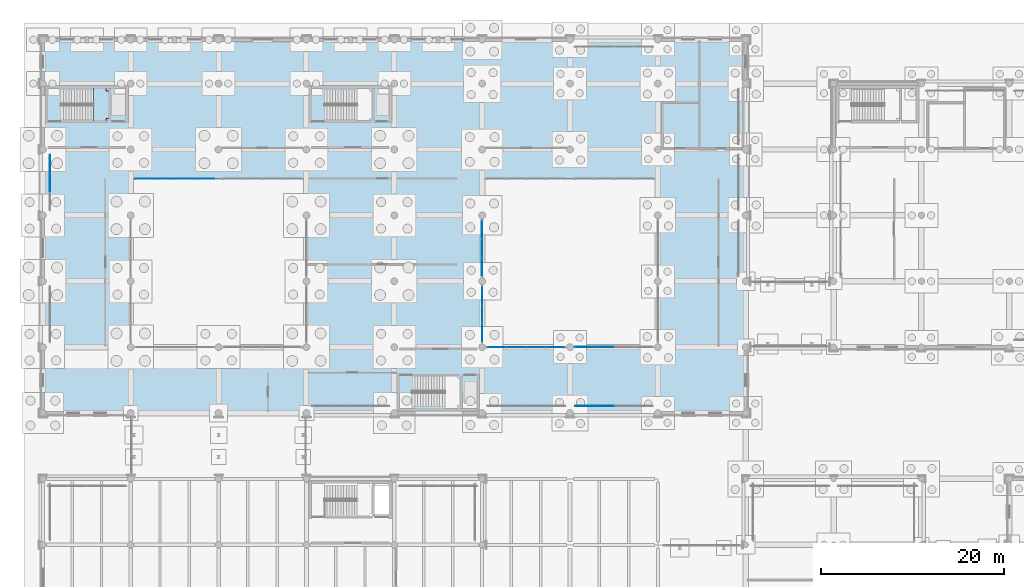
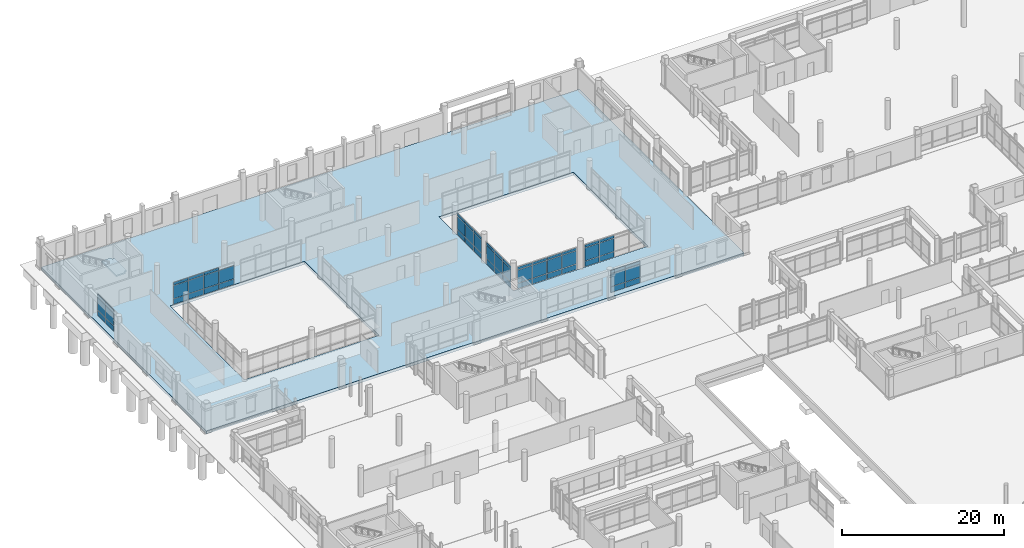
# One storey, part 150 of 196: 59 plates, 2 slabs, 8 elements without a shape of their own.
"""IFC4 building model written with IfcOpenShell, lengths in metres."""

from ifc_helpers import new_model, si_unit, direction, frame, origin, origin_2d, place, context, subcontext, project, spatial, polyline, rectangle, outline, extrude, material, layer, layer_set, type_object, element, aggregate, save


model = new_model("IFC4")

# Units and contexts
model_context = context("Model", 3, precision=1e-05, world=origin(), true_north=direction((0.0, 1.0)))
body_context = subcontext(model_context, "Body", "Model", "MODEL_VIEW")
ifc_project = project(units=[si_unit("LENGTHUNIT", "METRE"), si_unit("AREAUNIT", "SQUARE_METRE"), si_unit("VOLUMEUNIT", "CUBIC_METRE"), si_unit("PLANEANGLEUNIT", "RADIAN"), si_unit("MASSUNIT", "GRAM", prefix="KILO")], contexts=[model_context])

# Site, building, storey
site_placement = place(None, origin())
site = spatial("IfcSite", under=ifc_project, at=site_placement, CompositionType="ELEMENT")
building_placement = place(site_placement, origin())
building = spatial("IfcBuilding", under=site, at=building_placement, Name="Asteropetra Specialist Clinic", CompositionType="ELEMENT")
storey_placement = place(building_placement, origin())
storey = spatial("IfcBuildingStorey", under=building, at=storey_placement, Name="L00", CompositionType="ELEMENT", Elevation=0.0)

# Curtain wall, plates
ifc_material_1 = material(Name="Aluminium and low-E glass", Category="aluminium")
ifc_layer_1 = layer(ifc_material_1, 0.135009765625)
ifc_layer_set_1 = layer_set([ifc_layer_1], Name="Aluminium and low-E glass")
curtain_wall_type_1 = type_object("IfcCurtainWallType", Name="CW-SYS-03", PredefinedType="USERDEFINED", material=ifc_layer_set_1)
curtain_wall_1_placement = place(storey_placement, origin())
curtain_wall_1 = element("IfcCurtainWall", 1, at=curtain_wall_1_placement, inside=storey, type_object=curtain_wall_type_1, Name="Curtain Wall CW-009", ObjectType="UNITISED CURTAIN WALL", PredefinedType="USERDEFINED")
ifc_material_2 = material(Name="Low-E acoustic double glazing", Category="glass")
ifc_layer_2 = layer(ifc_material_2, 0.031982421875)
ifc_layer_set_2 = layer_set([ifc_layer_2], Name="Low-E acoustic double glazing")
plate_type_1 = type_object("IfcPlateType", Name="CWP-GLZ-32", PredefinedType="CURTAIN_PANEL", material=ifc_layer_set_2)
plate_1_placement = place(storey_placement, frame((49.6201171875, 76.800048828125, 0.074951171875), z_axis=(0.0, 0.0, 1.0), x_axis=(1.0, 0.0, 0.0)))
plate_1 = element("IfcPlate", 2, at=plate_1_placement, type_object=plate_type_1, Name="CW-009 panel 1.1", PredefinedType="CURTAIN_PANEL", context=body_context, shape_type="SweptSolid", body=[
    extrude(rectangle(XDim=2.02001953125, YDim=0.031982421875, at=origin_2d()), origin(), (0.0, 0.0, 1.0), 0.78759765625),
])
plate_2_placement = place(storey_placement, frame((49.6201171875, 76.800048828125, 0.9375), z_axis=(0.0, 0.0, 1.0), x_axis=(1.0, 0.0, 0.0)))
plate_2 = element("IfcPlate", 3, at=plate_2_placement, type_object=plate_type_1, Name="CW-009 panel 1.2", PredefinedType="CURTAIN_PANEL", context=body_context, shape_type="SweptSolid", body=[
    extrude(rectangle(XDim=2.02001953125, YDim=0.031982421875, at=origin_2d()), origin(), (0.0, 0.0, 1.0), 1.945068359375),
])
plate_3_placement = place(storey_placement, frame((49.6201171875, 76.800048828125, 2.95751953125), z_axis=(0.0, 0.0, 1.0), x_axis=(1.0, 0.0, 0.0)))
plate_3 = element("IfcPlate", 4, at=plate_3_placement, type_object=plate_type_1, Name="CW-009 panel 1.3", PredefinedType="CURTAIN_PANEL", context=body_context, shape_type="SweptSolid", body=[
    extrude(rectangle(XDim=2.02001953125, YDim=0.031982421875, at=origin_2d()), origin(), (0.0, 0.0, 1.0), 0.387451171875),
])
plate_4_placement = place(storey_placement, frame((51.733642578125, 76.800048828125, 0.074951171875), z_axis=(0.0, 0.0, 1.0), x_axis=(1.0, 0.0, 0.0)))
plate_4 = element("IfcPlate", 5, at=plate_4_placement, type_object=plate_type_1, Name="CW-009 panel 2.1", PredefinedType="CURTAIN_PANEL", context=body_context, shape_type="SweptSolid", body=[
    extrude(rectangle(XDim=2.0576171875, YDim=0.031982421875, at=origin_2d()), origin(), (0.0, 0.0, 1.0), 0.78759765625),
])
plate_5_placement = place(storey_placement, frame((51.733642578125, 76.800048828125, 0.9375), z_axis=(0.0, 0.0, 1.0), x_axis=(1.0, 0.0, 0.0)))
plate_5 = element("IfcPlate", 6, at=plate_5_placement, type_object=plate_type_1, Name="CW-009 panel 2.2", PredefinedType="CURTAIN_PANEL", context=body_context, shape_type="SweptSolid", body=[
    extrude(rectangle(XDim=2.0576171875, YDim=0.031982421875, at=origin_2d()), origin(), (0.0, 0.0, 1.0), 1.945068359375),
])
plate_6_placement = place(storey_placement, frame((51.733642578125, 76.800048828125, 2.95751953125), z_axis=(0.0, 0.0, 1.0), x_axis=(1.0, 0.0, 0.0)))
plate_6 = element("IfcPlate", 7, at=plate_6_placement, type_object=plate_type_1, Name="CW-009 panel 2.3", PredefinedType="CURTAIN_PANEL", context=body_context, shape_type="SweptSolid", body=[
    extrude(rectangle(XDim=2.0576171875, YDim=0.031982421875, at=origin_2d()), origin(), (0.0, 0.0, 1.0), 0.387451171875),
])
plate_7_placement = place(storey_placement, frame((53.8662109375, 76.800048828125, 0.074951171875), z_axis=(0.0, 0.0, 1.0), x_axis=(1.0, 0.0, 0.0)))
plate_7 = element("IfcPlate", 8, at=plate_7_placement, type_object=plate_type_1, Name="CW-009 panel 3.1", PredefinedType="CURTAIN_PANEL", context=body_context, shape_type="SweptSolid", body=[
    extrude(rectangle(XDim=2.0576171875, YDim=0.031982421875, at=origin_2d()), origin(), (0.0, 0.0, 1.0), 0.78759765625),
])
plate_8_placement = place(storey_placement, frame((53.8662109375, 76.800048828125, 0.9375), z_axis=(0.0, 0.0, 1.0), x_axis=(1.0, 0.0, 0.0)))
plate_8 = element("IfcPlate", 9, at=plate_8_placement, type_object=plate_type_1, Name="CW-009 panel 3.2", PredefinedType="CURTAIN_PANEL", context=body_context, shape_type="SweptSolid", body=[
    extrude(rectangle(XDim=2.0576171875, YDim=0.031982421875, at=origin_2d()), origin(), (0.0, 0.0, 1.0), 1.945068359375),
])
plate_9_placement = place(storey_placement, frame((53.8662109375, 76.800048828125, 2.95751953125), z_axis=(0.0, 0.0, 1.0), x_axis=(1.0, 0.0, 0.0)))
plate_9 = element("IfcPlate", 10, at=plate_9_placement, type_object=plate_type_1, Name="CW-009 panel 3.3", PredefinedType="CURTAIN_PANEL", context=body_context, shape_type="SweptSolid", body=[
    extrude(rectangle(XDim=2.0576171875, YDim=0.031982421875, at=origin_2d()), origin(), (0.0, 0.0, 1.0), 0.387451171875),
])
plate_10_placement = place(storey_placement, frame((55.97998046875, 76.800048828125, 0.074951171875), z_axis=(0.0, 0.0, 1.0), x_axis=(1.0, 0.0, 0.0)))
plate_10 = element("IfcPlate", 11, at=plate_10_placement, type_object=plate_type_1, Name="CW-009 panel 4.1", PredefinedType="CURTAIN_PANEL", context=body_context, shape_type="SweptSolid", body=[
    extrude(rectangle(XDim=2.02001953125, YDim=0.031982421875, at=origin_2d()), origin(), (0.0, 0.0, 1.0), 0.78759765625),
])
plate_11_placement = place(storey_placement, frame((55.97998046875, 76.800048828125, 0.9375), z_axis=(0.0, 0.0, 1.0), x_axis=(1.0, 0.0, 0.0)))
plate_11 = element("IfcPlate", 12, at=plate_11_placement, type_object=plate_type_1, Name="CW-009 panel 4.2", PredefinedType="CURTAIN_PANEL", context=body_context, shape_type="SweptSolid", body=[
    extrude(rectangle(XDim=2.02001953125, YDim=0.031982421875, at=origin_2d()), origin(), (0.0, 0.0, 1.0), 1.945068359375),
])
plate_12_placement = place(storey_placement, frame((55.97998046875, 76.800048828125, 2.95751953125), z_axis=(0.0, 0.0, 1.0), x_axis=(1.0, 0.0, 0.0)))
plate_12 = element("IfcPlate", 13, at=plate_12_placement, type_object=plate_type_1, Name="CW-009 panel 4.3", PredefinedType="CURTAIN_PANEL", context=body_context, shape_type="SweptSolid", body=[
    extrude(rectangle(XDim=2.02001953125, YDim=0.031982421875, at=origin_2d()), origin(), (0.0, 0.0, 1.0), 0.387451171875),
])
aggregate(curtain_wall_1, [plate_1, plate_2, plate_3, plate_4, plate_5, plate_6, plate_7, plate_8, plate_9, plate_10, plate_11, plate_12])

ifc_material_3 = material(Name="Aluminium and low-E glass", Category="aluminium")
ifc_layer_3 = layer(ifc_material_3, 0.14990234375)
ifc_layer_set_3 = layer_set([ifc_layer_3], Name="Aluminium and low-E glass")
curtain_wall_type_2 = type_object("IfcCurtainWallType", Name="CW-SYS-05", PredefinedType="USERDEFINED", material=ifc_layer_set_3)
curtain_wall_2_placement = place(storey_placement, origin())
curtain_wall_2 = element("IfcCurtainWall", 14, at=curtain_wall_2_placement, inside=storey, type_object=curtain_wall_type_2, Name="Curtain Wall CW-013", ObjectType="UNITISED CURTAIN WALL", PredefinedType="USERDEFINED")
plate_13_placement = place(storey_placement, frame((48.0, 82.427001953125, 0.06494140625), z_axis=(0.0, 0.0, 1.0), x_axis=(0.0, -1.0, 0.0)))
plate_13 = element("IfcPlate", 15, at=plate_13_placement, type_object=plate_type_1, Name="CW-013 panel 1.1", PredefinedType="CURTAIN_PANEL", context=body_context, shape_type="SweptSolid", body=[
    extrude(rectangle(XDim=1.94580078125, YDim=0.031982421875, at=origin_2d()), origin(), (0.0, 0.0, 1.0), 0.802490234375),
])
plate_14_placement = place(storey_placement, frame((48.0, 82.427001953125, 0.932373046875), z_axis=(0.0, 0.0, 1.0), x_axis=(0.0, -1.0, 0.0)))
plate_14 = element("IfcPlate", 16, at=plate_14_placement, type_object=plate_type_1, Name="CW-013 panel 1.2", PredefinedType="CURTAIN_PANEL", context=body_context, shape_type="SweptSolid", body=[
    extrude(rectangle(XDim=1.94580078125, YDim=0.031982421875, at=origin_2d()), origin(), (0.0, 0.0, 1.0), 1.955078125),
])
plate_15_placement = place(storey_placement, frame((48.0, 82.427001953125, 2.95263671875), z_axis=(0.0, 0.0, 1.0), x_axis=(0.0, -1.0, 0.0)))
plate_15 = element("IfcPlate", 17, at=plate_15_placement, type_object=plate_type_1, Name="CW-013 panel 1.3", PredefinedType="CURTAIN_PANEL", context=body_context, shape_type="SweptSolid", body=[
    extrude(rectangle(XDim=1.94580078125, YDim=0.031982421875, at=origin_2d()), origin(), (0.0, 0.0, 1.0), 0.402587890625),
])
plate_16_placement = place(storey_placement, frame((48.0, 80.39990234375, 0.06494140625), z_axis=(0.0, 0.0, 1.0), x_axis=(0.0, -1.0, 0.0)))
plate_16 = element("IfcPlate", 18, at=plate_16_placement, type_object=plate_type_1, Name="CW-013 panel 2.1", PredefinedType="CURTAIN_PANEL", context=body_context, shape_type="SweptSolid", body=[
    extrude(rectangle(XDim=1.978271484375, YDim=0.031982421875, at=origin_2d()), origin(), (0.0, 0.0, 1.0), 0.802490234375),
])
plate_17_placement = place(storey_placement, frame((48.0, 80.39990234375, 0.932373046875), z_axis=(0.0, 0.0, 1.0), x_axis=(0.0, -1.0, 0.0)))
plate_17 = element("IfcPlate", 19, at=plate_17_placement, type_object=plate_type_1, Name="CW-013 panel 2.2", PredefinedType="CURTAIN_PANEL", context=body_context, shape_type="SweptSolid", body=[
    extrude(rectangle(XDim=1.978271484375, YDim=0.031982421875, at=origin_2d()), origin(), (0.0, 0.0, 1.0), 1.955078125),
])
plate_18_placement = place(storey_placement, frame((48.0, 80.39990234375, 2.95263671875), z_axis=(0.0, 0.0, 1.0), x_axis=(0.0, -1.0, 0.0)))
plate_18 = element("IfcPlate", 20, at=plate_18_placement, type_object=plate_type_1, Name="CW-013 panel 2.3", PredefinedType="CURTAIN_PANEL", context=body_context, shape_type="SweptSolid", body=[
    extrude(rectangle(XDim=1.978271484375, YDim=0.031982421875, at=origin_2d()), origin(), (0.0, 0.0, 1.0), 0.402587890625),
])
plate_19_placement = place(storey_placement, frame((48.0, 78.372802734375, 0.06494140625), z_axis=(0.0, 0.0, 1.0), x_axis=(0.0, -1.0, 0.0)))
plate_19 = element("IfcPlate", 21, at=plate_19_placement, type_object=plate_type_1, Name="CW-013 panel 3.1", PredefinedType="CURTAIN_PANEL", context=body_context, shape_type="SweptSolid", body=[
    extrude(rectangle(XDim=1.94580078125, YDim=0.031982421875, at=origin_2d()), origin(), (0.0, 0.0, 1.0), 0.802490234375),
])
plate_20_placement = place(storey_placement, frame((48.0, 78.372802734375, 0.932373046875), z_axis=(0.0, 0.0, 1.0), x_axis=(0.0, -1.0, 0.0)))
plate_20 = element("IfcPlate", 22, at=plate_20_placement, type_object=plate_type_1, Name="CW-013 panel 3.2", PredefinedType="CURTAIN_PANEL", context=body_context, shape_type="SweptSolid", body=[
    extrude(rectangle(XDim=1.94580078125, YDim=0.031982421875, at=origin_2d()), origin(), (0.0, 0.0, 1.0), 1.955078125),
])
plate_21_placement = place(storey_placement, frame((48.0, 78.372802734375, 2.95263671875), z_axis=(0.0, 0.0, 1.0), x_axis=(0.0, -1.0, 0.0)))
plate_21 = element("IfcPlate", 23, at=plate_21_placement, type_object=plate_type_1, Name="CW-013 panel 3.3", PredefinedType="CURTAIN_PANEL", context=body_context, shape_type="SweptSolid", body=[
    extrude(rectangle(XDim=1.94580078125, YDim=0.031982421875, at=origin_2d()), origin(), (0.0, 0.0, 1.0), 0.402587890625),
])
aggregate(curtain_wall_2, [plate_13, plate_14, plate_15, plate_16, plate_17, plate_18, plate_19, plate_20, plate_21])

ifc_material_4 = material(Name="Aluminium and low-E glass", Category="aluminium")
ifc_layer_4 = layer(ifc_material_4, 0.179931640625)
ifc_layer_set_4 = layer_set([ifc_layer_4], Name="Aluminium and low-E glass")
curtain_wall_type_3 = type_object("IfcCurtainWallType", Name="CW-SYS-10", PredefinedType="USERDEFINED", material=ifc_layer_set_4)
curtain_wall_3_placement = place(storey_placement, origin())
curtain_wall_3 = element("IfcCurtainWall", 24, at=curtain_wall_3_placement, inside=storey, type_object=curtain_wall_type_3, Name="Curtain Wall CW-185", ObjectType="STICK GLAZED COLONNADE", PredefinedType="USERDEFINED")
plate_22_placement = place(storey_placement, frame((59.21630859375, 70.3798828125, 0.06005859375), z_axis=(0.0, 0.0, 1.0), x_axis=(1.0, 0.0, 0.0)))
plate_22 = element("IfcPlate", 25, at=plate_22_placement, type_object=plate_type_1, Name="CW-185 panel 1.1", PredefinedType="CURTAIN_PANEL", context=body_context, shape_type="SweptSolid", body=[
    extrude(rectangle(XDim=2.04248046875, YDim=0.031982421875, at=origin_2d()), origin(), (0.0, 0.0, 1.0), 0.81005859375),
])
plate_23_placement = place(storey_placement, frame((59.21630859375, 70.3798828125, 0.929931640625), z_axis=(0.0, 0.0, 1.0), x_axis=(1.0, 0.0, 0.0)))
plate_23 = element("IfcPlate", 26, at=plate_23_placement, type_object=plate_type_1, Name="CW-185 panel 1.2", PredefinedType="CURTAIN_PANEL", context=body_context, shape_type="SweptSolid", body=[
    extrude(rectangle(XDim=2.04248046875, YDim=0.031982421875, at=origin_2d()), origin(), (0.0, 0.0, 1.0), 1.9599609375),
])
plate_24_placement = place(storey_placement, frame((59.21630859375, 70.3798828125, 2.9501953125), z_axis=(0.0, 0.0, 1.0), x_axis=(1.0, 0.0, 0.0)))
plate_24 = element("IfcPlate", 27, at=plate_24_placement, type_object=plate_type_1, Name="CW-185 panel 1.3", PredefinedType="CURTAIN_PANEL", context=body_context, shape_type="SweptSolid", body=[
    extrude(rectangle(XDim=2.04248046875, YDim=0.031982421875, at=origin_2d()), origin(), (0.0, 0.0, 1.0), 0.409912109375),
])
plate_25_placement = place(storey_placement, frame((61.333740234375, 70.3798828125, 0.06005859375), z_axis=(0.0, 0.0, 1.0), x_axis=(1.0, 0.0, 0.0)))
plate_25 = element("IfcPlate", 28, at=plate_25_placement, type_object=plate_type_1, Name="CW-185 panel 2.1", PredefinedType="CURTAIN_PANEL", context=body_context, shape_type="SweptSolid", body=[
    extrude(rectangle(XDim=2.072509765625, YDim=0.031982421875, at=origin_2d()), origin(), (0.0, 0.0, 1.0), 0.81005859375),
])
plate_26_placement = place(storey_placement, frame((61.333740234375, 70.3798828125, 0.929931640625), z_axis=(0.0, 0.0, 1.0), x_axis=(1.0, 0.0, 0.0)))
plate_26 = element("IfcPlate", 29, at=plate_26_placement, type_object=plate_type_1, Name="CW-185 panel 2.2", PredefinedType="CURTAIN_PANEL", context=body_context, shape_type="SweptSolid", body=[
    extrude(rectangle(XDim=2.072509765625, YDim=0.031982421875, at=origin_2d()), origin(), (0.0, 0.0, 1.0), 1.9599609375),
])
plate_27_placement = place(storey_placement, frame((61.333740234375, 70.3798828125, 2.9501953125), z_axis=(0.0, 0.0, 1.0), x_axis=(1.0, 0.0, 0.0)))
plate_27 = element("IfcPlate", 30, at=plate_27_placement, type_object=plate_type_1, Name="CW-185 panel 2.3", PredefinedType="CURTAIN_PANEL", context=body_context, shape_type="SweptSolid", body=[
    extrude(rectangle(XDim=2.072509765625, YDim=0.031982421875, at=origin_2d()), origin(), (0.0, 0.0, 1.0), 0.409912109375),
])
aggregate(curtain_wall_3, [plate_22, plate_23, plate_24, plate_25, plate_26, plate_27])

ifc_material_5 = material(Name="Aluminium and low-E glass", Category="aluminium")
ifc_layer_5 = layer(ifc_material_5, 0.179931640625)
ifc_layer_set_5 = layer_set([ifc_layer_5], Name="Aluminium and low-E glass")
curtain_wall_type_4 = type_object("IfcCurtainWallType", Name="CW-SYS-01", PredefinedType="USERDEFINED", material=ifc_layer_set_5)
curtain_wall_4_placement = place(storey_placement, origin())
curtain_wall_4 = element("IfcCurtainWall", 31, at=curtain_wall_4_placement, inside=storey, type_object=curtain_wall_type_4, Name="Curtain Wall CW-189", ObjectType="UNITISED CURTAIN WALL", PredefinedType="USERDEFINED")
plate_28_placement = place(storey_placement, frame((0.780029296875, 96.824462890625, 0.074951171875), z_axis=(0.0, 0.0, 1.0), x_axis=(0.0, -1.0, 0.0)))
plate_28 = element("IfcPlate", 32, at=plate_28_placement, type_object=plate_type_1, Name="CW-189 panel 1.1", PredefinedType="CURTAIN_PANEL", context=body_context, shape_type="SweptSolid", body=[
    extrude(rectangle(XDim=1.930908203125, YDim=0.031982421875, at=origin_2d()), origin(), (0.0, 0.0, 1.0), 0.78759765625),
])
plate_29_placement = place(storey_placement, frame((0.780029296875, 96.824462890625, 0.9375), z_axis=(0.0, 0.0, 1.0), x_axis=(0.0, -1.0, 0.0)))
plate_29 = element("IfcPlate", 33, at=plate_29_placement, type_object=plate_type_1, Name="CW-189 panel 1.2", PredefinedType="CURTAIN_PANEL", context=body_context, shape_type="SweptSolid", body=[
    extrude(rectangle(XDim=1.930908203125, YDim=0.031982421875, at=origin_2d()), origin(), (0.0, 0.0, 1.0), 1.945068359375),
])
plate_30_placement = place(storey_placement, frame((0.780029296875, 96.824462890625, 2.95751953125), z_axis=(0.0, 0.0, 1.0), x_axis=(0.0, -1.0, 0.0)))
plate_30 = element("IfcPlate", 34, at=plate_30_placement, type_object=plate_type_1, Name="CW-189 panel 1.3", PredefinedType="CURTAIN_PANEL", context=body_context, shape_type="SweptSolid", body=[
    extrude(rectangle(XDim=1.930908203125, YDim=0.031982421875, at=origin_2d()), origin(), (0.0, 0.0, 1.0), 0.387451171875),
])
plate_31_placement = place(storey_placement, frame((0.780029296875, 94.800048828125, 0.074951171875), z_axis=(0.0, 0.0, 1.0), x_axis=(0.0, -1.0, 0.0)))
plate_31 = element("IfcPlate", 35, at=plate_31_placement, type_object=plate_type_1, Name="CW-189 panel 2.1", PredefinedType="CURTAIN_PANEL", context=body_context, shape_type="SweptSolid", body=[
    extrude(rectangle(XDim=1.96826171875, YDim=0.031982421875, at=origin_2d()), origin(), (0.0, 0.0, 1.0), 0.78759765625),
])
plate_32_placement = place(storey_placement, frame((0.780029296875, 94.800048828125, 0.9375), z_axis=(0.0, 0.0, 1.0), x_axis=(0.0, -1.0, 0.0)))
plate_32 = element("IfcPlate", 36, at=plate_32_placement, type_object=plate_type_1, Name="CW-189 panel 2.2", PredefinedType="CURTAIN_PANEL", context=body_context, shape_type="SweptSolid", body=[
    extrude(rectangle(XDim=1.96826171875, YDim=0.031982421875, at=origin_2d()), origin(), (0.0, 0.0, 1.0), 1.945068359375),
])
plate_33_placement = place(storey_placement, frame((0.780029296875, 94.800048828125, 2.95751953125), z_axis=(0.0, 0.0, 1.0), x_axis=(0.0, -1.0, 0.0)))
plate_33 = element("IfcPlate", 37, at=plate_33_placement, type_object=plate_type_1, Name="CW-189 panel 2.3", PredefinedType="CURTAIN_PANEL", context=body_context, shape_type="SweptSolid", body=[
    extrude(rectangle(XDim=1.96826171875, YDim=0.031982421875, at=origin_2d()), origin(), (0.0, 0.0, 1.0), 0.387451171875),
])
aggregate(curtain_wall_4, [plate_28, plate_29, plate_30, plate_31, plate_32, plate_33])

curtain_wall_5_placement = place(storey_placement, origin())
curtain_wall_5 = element("IfcCurtainWall", 38, at=curtain_wall_5_placement, inside=storey, type_object=curtain_wall_type_1, Name="Curtain Wall CW-002", ObjectType="UNITISED CURTAIN WALL", PredefinedType="USERDEFINED")
ifc_material_6 = material(Name="Solar-control triple glazing", Category="glass")
ifc_layer_6 = layer(ifc_material_6, 0.035888671875)
ifc_layer_set_6 = layer_set([ifc_layer_6], Name="Solar-control triple glazing")
plate_type_2 = type_object("IfcPlateType", Name="CWP-GLZ-36", PredefinedType="CURTAIN_PANEL", material=ifc_layer_set_6)
plate_34_placement = place(storey_placement, frame((17.655029296875, 95.199951171875, 0.06005859375), z_axis=(0.0, 0.0, 1.0), x_axis=(-1.0, 0.0, 0.0)))
plate_34 = element("IfcPlate", 39, at=plate_34_placement, type_object=plate_type_2, Name="CW-002 panel 1.1", PredefinedType="CURTAIN_PANEL", context=body_context, shape_type="SweptSolid", body=[
    extrude(rectangle(XDim=2.090087890625, YDim=0.035888671875, at=origin_2d()), origin(), (0.0, 0.0, 1.0), 0.81005859375),
])
plate_35_placement = place(storey_placement, frame((17.655029296875, 95.199951171875, 0.929931640625), z_axis=(0.0, 0.0, 1.0), x_axis=(-1.0, 0.0, 0.0)))
plate_35 = element("IfcPlate", 40, at=plate_35_placement, type_object=plate_type_2, Name="CW-002 panel 1.2", PredefinedType="CURTAIN_PANEL", context=body_context, shape_type="SweptSolid", body=[
    extrude(rectangle(XDim=2.090087890625, YDim=0.035888671875, at=origin_2d()), origin(), (0.0, 0.0, 1.0), 1.9599609375),
])
plate_36_placement = place(storey_placement, frame((15.489990234375, 95.199951171875, 0.06005859375), z_axis=(0.0, 0.0, 1.0), x_axis=(-1.0, 0.0, 0.0)))
plate_36 = element("IfcPlate", 41, at=plate_36_placement, type_object=plate_type_2, Name="CW-002 panel 2.1", PredefinedType="CURTAIN_PANEL", context=body_context, shape_type="SweptSolid", body=[
    extrude(rectangle(XDim=2.1201171875, YDim=0.035888671875, at=origin_2d()), origin(), (0.0, 0.0, 1.0), 0.81005859375),
])
plate_37_placement = place(storey_placement, frame((15.489990234375, 95.199951171875, 0.929931640625), z_axis=(0.0, 0.0, 1.0), x_axis=(-1.0, 0.0, 0.0)))
plate_37 = element("IfcPlate", 42, at=plate_37_placement, type_object=plate_type_2, Name="CW-002 panel 2.2", PredefinedType="CURTAIN_PANEL", context=body_context, shape_type="SweptSolid", body=[
    extrude(rectangle(XDim=2.1201171875, YDim=0.035888671875, at=origin_2d()), origin(), (0.0, 0.0, 1.0), 1.9599609375),
])
plate_38_placement = place(storey_placement, frame((15.489990234375, 95.199951171875, 2.9501953125), z_axis=(0.0, 0.0, 1.0), x_axis=(-1.0, 0.0, 0.0)))
plate_38 = element("IfcPlate", 43, at=plate_38_placement, type_object=plate_type_2, Name="CW-002 panel 2.3", PredefinedType="CURTAIN_PANEL", context=body_context, shape_type="SweptSolid", body=[
    extrude(rectangle(XDim=2.1201171875, YDim=0.035888671875, at=origin_2d()), origin(), (0.0, 0.0, 1.0), 0.409912109375),
])
plate_39_placement = place(storey_placement, frame((13.31005859375, 95.199951171875, 0.06005859375), z_axis=(0.0, 0.0, 1.0), x_axis=(-1.0, 0.0, 0.0)))
plate_39 = element("IfcPlate", 44, at=plate_39_placement, type_object=plate_type_2, Name="CW-002 panel 3.1", PredefinedType="CURTAIN_PANEL", context=body_context, shape_type="SweptSolid", body=[
    extrude(rectangle(XDim=2.1201171875, YDim=0.035888671875, at=origin_2d()), origin(), (0.0, 0.0, 1.0), 0.81005859375),
])
plate_40_placement = place(storey_placement, frame((13.31005859375, 95.199951171875, 0.929931640625), z_axis=(0.0, 0.0, 1.0), x_axis=(-1.0, 0.0, 0.0)))
plate_40 = element("IfcPlate", 45, at=plate_40_placement, type_object=plate_type_2, Name="CW-002 panel 3.2", PredefinedType="CURTAIN_PANEL", context=body_context, shape_type="SweptSolid", body=[
    extrude(rectangle(XDim=2.1201171875, YDim=0.035888671875, at=origin_2d()), origin(), (0.0, 0.0, 1.0), 1.9599609375),
])
plate_41_placement = place(storey_placement, frame((13.31005859375, 95.199951171875, 2.9501953125), z_axis=(0.0, 0.0, 1.0), x_axis=(-1.0, 0.0, 0.0)))
plate_41 = element("IfcPlate", 46, at=plate_41_placement, type_object=plate_type_2, Name="CW-002 panel 3.3", PredefinedType="CURTAIN_PANEL", context=body_context, shape_type="SweptSolid", body=[
    extrude(rectangle(XDim=2.1201171875, YDim=0.035888671875, at=origin_2d()), origin(), (0.0, 0.0, 1.0), 0.409912109375),
])
plate_42_placement = place(storey_placement, frame((11.14501953125, 95.199951171875, 0.06005859375), z_axis=(0.0, 0.0, 1.0), x_axis=(-1.0, 0.0, 0.0)))
plate_42 = element("IfcPlate", 47, at=plate_42_placement, type_object=plate_type_2, Name="CW-002 panel 4.1", PredefinedType="CURTAIN_PANEL", context=body_context, shape_type="SweptSolid", body=[
    extrude(rectangle(XDim=2.090087890625, YDim=0.035888671875, at=origin_2d()), origin(), (0.0, 0.0, 1.0), 0.81005859375),
])
plate_43_placement = place(storey_placement, frame((11.14501953125, 95.199951171875, 0.929931640625), z_axis=(0.0, 0.0, 1.0), x_axis=(-1.0, 0.0, 0.0)))
plate_43 = element("IfcPlate", 48, at=plate_43_placement, type_object=plate_type_2, Name="CW-002 panel 4.2", PredefinedType="CURTAIN_PANEL", context=body_context, shape_type="SweptSolid", body=[
    extrude(rectangle(XDim=2.090087890625, YDim=0.035888671875, at=origin_2d()), origin(), (0.0, 0.0, 1.0), 1.9599609375),
])
plate_44_placement = place(storey_placement, frame((11.14501953125, 95.199951171875, 2.9501953125), z_axis=(0.0, 0.0, 1.0), x_axis=(-1.0, 0.0, 0.0)))
plate_44 = element("IfcPlate", 49, at=plate_44_placement, type_object=plate_type_2, Name="CW-002 panel 4.3", PredefinedType="CURTAIN_PANEL", context=body_context, shape_type="SweptSolid", body=[
    extrude(rectangle(XDim=2.090087890625, YDim=0.035888671875, at=origin_2d()), origin(), (0.0, 0.0, 1.0), 0.409912109375),
])
aggregate(curtain_wall_5, [plate_34, plate_35, plate_36, plate_37, plate_38, plate_39, plate_40, plate_41, plate_42, plate_43, plate_44])

ifc_material_7 = material(Name="Aluminium and low-E glass", Category="aluminium")
ifc_layer_7 = layer(ifc_material_7, 0.179931640625)
ifc_layer_set_7 = layer_set([ifc_layer_7], Name="Aluminium and low-E glass")
curtain_wall_type_5 = type_object("IfcCurtainWallType", Name="CW-SYS-04", PredefinedType="USERDEFINED", material=ifc_layer_set_7)
curtain_wall_6_placement = place(storey_placement, origin())
curtain_wall_6 = element("IfcCurtainWall", 50, at=curtain_wall_6_placement, inside=storey, type_object=curtain_wall_type_5, Name="Curtain Wall CW-011", ObjectType="UNITISED CURTAIN WALL", PredefinedType="USERDEFINED")
ifc_material_8 = material(Name="Laminated skylight glazing", Category="glass")
ifc_layer_8 = layer(ifc_material_8, 0.0400390625)
ifc_layer_set_8 = layer_set([ifc_layer_8], Name="Laminated skylight glazing")
plate_type_3 = type_object("IfcPlateType", Name="CWP-GLZ-40", PredefinedType="CURTAIN_PANEL", material=ifc_layer_set_8)
plate_45_placement = place(storey_placement, frame((59.21630859375, 76.800048828125, 0.06005859375), z_axis=(0.0, 0.0, 1.0), x_axis=(1.0, 0.0, 0.0)))
plate_45 = element("IfcPlate", 51, at=plate_45_placement, type_object=plate_type_3, Name="CW-011 panel 1.1", PredefinedType="CURTAIN_PANEL", context=body_context, shape_type="SweptSolid", body=[
    extrude(rectangle(XDim=2.04248046875, YDim=0.0400390625, at=origin_2d()), origin(), (0.0, 0.0, 1.0), 0.81005859375),
])
plate_46_placement = place(storey_placement, frame((59.21630859375, 76.800048828125, 0.929931640625), z_axis=(0.0, 0.0, 1.0), x_axis=(1.0, 0.0, 0.0)))
plate_46 = element("IfcPlate", 52, at=plate_46_placement, type_object=plate_type_3, Name="CW-011 panel 1.2", PredefinedType="CURTAIN_PANEL", context=body_context, shape_type="SweptSolid", body=[
    extrude(rectangle(XDim=2.04248046875, YDim=0.0400390625, at=origin_2d()), origin(), (0.0, 0.0, 1.0), 1.9599609375),
])
plate_47_placement = place(storey_placement, frame((59.21630859375, 76.800048828125, 2.9501953125), z_axis=(0.0, 0.0, 1.0), x_axis=(1.0, 0.0, 0.0)))
plate_47 = element("IfcPlate", 53, at=plate_47_placement, type_object=plate_type_3, Name="CW-011 panel 1.3", PredefinedType="CURTAIN_PANEL", context=body_context, shape_type="SweptSolid", body=[
    extrude(rectangle(XDim=2.04248046875, YDim=0.0400390625, at=origin_2d()), origin(), (0.0, 0.0, 1.0), 0.409912109375),
])
plate_48_placement = place(storey_placement, frame((61.333740234375, 76.800048828125, 0.06005859375), z_axis=(0.0, 0.0, 1.0), x_axis=(1.0, 0.0, 0.0)))
plate_48 = element("IfcPlate", 54, at=plate_48_placement, type_object=plate_type_3, Name="CW-011 panel 2.1", PredefinedType="CURTAIN_PANEL", context=body_context, shape_type="SweptSolid", body=[
    extrude(rectangle(XDim=2.072509765625, YDim=0.0400390625, at=origin_2d()), origin(), (0.0, 0.0, 1.0), 0.81005859375),
])
plate_49_placement = place(storey_placement, frame((61.333740234375, 76.800048828125, 0.929931640625), z_axis=(0.0, 0.0, 1.0), x_axis=(1.0, 0.0, 0.0)))
plate_49 = element("IfcPlate", 55, at=plate_49_placement, type_object=plate_type_3, Name="CW-011 panel 2.2", PredefinedType="CURTAIN_PANEL", context=body_context, shape_type="SweptSolid", body=[
    extrude(rectangle(XDim=2.072509765625, YDim=0.0400390625, at=origin_2d()), origin(), (0.0, 0.0, 1.0), 1.9599609375),
])
plate_50_placement = place(storey_placement, frame((61.333740234375, 76.800048828125, 2.9501953125), z_axis=(0.0, 0.0, 1.0), x_axis=(1.0, 0.0, 0.0)))
plate_50 = element("IfcPlate", 56, at=plate_50_placement, type_object=plate_type_3, Name="CW-011 panel 2.3", PredefinedType="CURTAIN_PANEL", context=body_context, shape_type="SweptSolid", body=[
    extrude(rectangle(XDim=2.072509765625, YDim=0.0400390625, at=origin_2d()), origin(), (0.0, 0.0, 1.0), 0.409912109375),
])
aggregate(curtain_wall_6, [plate_45, plate_46, plate_47, plate_48, plate_49, plate_50])

ifc_material_9 = material(Name="Aluminium and low-E glass", Category="aluminium")
ifc_layer_9 = layer(ifc_material_9, 0.135009765625)
ifc_layer_set_9 = layer_set([ifc_layer_9], Name="Aluminium and low-E glass")
curtain_wall_type_6 = type_object("IfcCurtainWallType", Name="CW-SYS-06", PredefinedType="USERDEFINED", material=ifc_layer_set_9)
curtain_wall_7_placement = place(storey_placement, origin())
curtain_wall_7 = element("IfcCurtainWall", 57, at=curtain_wall_7_placement, inside=storey, type_object=curtain_wall_type_6, Name="Curtain Wall CW-015", ObjectType="UNITISED CURTAIN WALL", PredefinedType="USERDEFINED")
plate_51_placement = place(storey_placement, frame((48.0, 89.62451171875, 0.074951171875), z_axis=(0.0, 0.0, 1.0), x_axis=(0.0, -1.0, 0.0)))
plate_51 = element("IfcPlate", 58, at=plate_51_placement, type_object=plate_type_3, Name="CW-015 panel 1.1", PredefinedType="CURTAIN_PANEL", context=body_context, shape_type="SweptSolid", body=[
    extrude(rectangle(XDim=1.930908203125, YDim=0.0400390625, at=origin_2d()), origin(), (0.0, 0.0, 1.0), 0.78759765625),
])
plate_52_placement = place(storey_placement, frame((48.0, 89.62451171875, 0.9375), z_axis=(0.0, 0.0, 1.0), x_axis=(0.0, -1.0, 0.0)))
plate_52 = element("IfcPlate", 59, at=plate_52_placement, type_object=plate_type_3, Name="CW-015 panel 1.2", PredefinedType="CURTAIN_PANEL", context=body_context, shape_type="SweptSolid", body=[
    extrude(rectangle(XDim=1.930908203125, YDim=0.0400390625, at=origin_2d()), origin(), (0.0, 0.0, 1.0), 1.945068359375),
])
plate_53_placement = place(storey_placement, frame((48.0, 89.62451171875, 2.95751953125), z_axis=(0.0, 0.0, 1.0), x_axis=(0.0, -1.0, 0.0)))
plate_53 = element("IfcPlate", 60, at=plate_53_placement, type_object=plate_type_3, Name="CW-015 panel 1.3", PredefinedType="CURTAIN_PANEL", context=body_context, shape_type="SweptSolid", body=[
    extrude(rectangle(XDim=1.930908203125, YDim=0.0400390625, at=origin_2d()), origin(), (0.0, 0.0, 1.0), 0.387451171875),
])
plate_54_placement = place(storey_placement, frame((48.0, 87.60009765625, 0.074951171875), z_axis=(0.0, 0.0, 1.0), x_axis=(0.0, -1.0, 0.0)))
plate_54 = element("IfcPlate", 61, at=plate_54_placement, type_object=plate_type_3, Name="CW-015 panel 2.1", PredefinedType="CURTAIN_PANEL", context=body_context, shape_type="SweptSolid", body=[
    extrude(rectangle(XDim=1.96826171875, YDim=0.0400390625, at=origin_2d()), origin(), (0.0, 0.0, 1.0), 0.78759765625),
])
plate_55_placement = place(storey_placement, frame((48.0, 87.60009765625, 0.9375), z_axis=(0.0, 0.0, 1.0), x_axis=(0.0, -1.0, 0.0)))
plate_55 = element("IfcPlate", 62, at=plate_55_placement, type_object=plate_type_3, Name="CW-015 panel 2.2", PredefinedType="CURTAIN_PANEL", context=body_context, shape_type="SweptSolid", body=[
    extrude(rectangle(XDim=1.96826171875, YDim=0.0400390625, at=origin_2d()), origin(), (0.0, 0.0, 1.0), 1.945068359375),
])
plate_56_placement = place(storey_placement, frame((48.0, 87.60009765625, 2.95751953125), z_axis=(0.0, 0.0, 1.0), x_axis=(0.0, -1.0, 0.0)))
plate_56 = element("IfcPlate", 63, at=plate_56_placement, type_object=plate_type_3, Name="CW-015 panel 2.3", PredefinedType="CURTAIN_PANEL", context=body_context, shape_type="SweptSolid", body=[
    extrude(rectangle(XDim=1.96826171875, YDim=0.0400390625, at=origin_2d()), origin(), (0.0, 0.0, 1.0), 0.387451171875),
])
plate_57_placement = place(storey_placement, frame((48.0, 85.575439453125, 0.074951171875), z_axis=(0.0, 0.0, 1.0), x_axis=(0.0, -1.0, 0.0)))
plate_57 = element("IfcPlate", 64, at=plate_57_placement, type_object=plate_type_3, Name="CW-015 panel 3.1", PredefinedType="CURTAIN_PANEL", context=body_context, shape_type="SweptSolid", body=[
    extrude(rectangle(XDim=1.930908203125, YDim=0.0400390625, at=origin_2d()), origin(), (0.0, 0.0, 1.0), 0.78759765625),
])
plate_58_placement = place(storey_placement, frame((48.0, 85.575439453125, 0.9375), z_axis=(0.0, 0.0, 1.0), x_axis=(0.0, -1.0, 0.0)))
plate_58 = element("IfcPlate", 65, at=plate_58_placement, type_object=plate_type_3, Name="CW-015 panel 3.2", PredefinedType="CURTAIN_PANEL", context=body_context, shape_type="SweptSolid", body=[
    extrude(rectangle(XDim=1.930908203125, YDim=0.0400390625, at=origin_2d()), origin(), (0.0, 0.0, 1.0), 1.945068359375),
])
plate_59_placement = place(storey_placement, frame((48.0, 85.575439453125, 2.95751953125), z_axis=(0.0, 0.0, 1.0), x_axis=(0.0, -1.0, 0.0)))
plate_59 = element("IfcPlate", 66, at=plate_59_placement, type_object=plate_type_3, Name="CW-015 panel 3.3", PredefinedType="CURTAIN_PANEL", context=body_context, shape_type="SweptSolid", body=[
    extrude(rectangle(XDim=1.930908203125, YDim=0.0400390625, at=origin_2d()), origin(), (0.0, 0.0, 1.0), 0.387451171875),
])
aggregate(curtain_wall_7, [plate_51, plate_52, plate_53, plate_54, plate_55, plate_56, plate_57, plate_58, plate_59])

# Slab
ifc_material_10 = material(Name="Concrete C35/45", Category="concrete")
ifc_layer_10 = layer(ifc_material_10, 0.449951171875)
ifc_layer_set_10 = layer_set([ifc_layer_10], Name="Concrete C35/45")
slab_type_1 = type_object("IfcSlabType", Name="SLB-BASE-450", PredefinedType="BASESLAB", material=ifc_layer_set_10)
slab_1_placement = place(storey_placement, frame((0.0, 0.0, -0.449951171875)))
element("IfcSlab", 67, at=slab_1_placement, inside=storey, type_object=slab_type_1, Name="Slab V4 L00", PredefinedType="BASESLAB", context=body_context, shape_type="SweptSolid", body=[
    extrude(outline(polyline([(0.0, 69.60009765625), (76.800048828125, 69.60009765625), (76.800048828125, 110.39990234375), (0.0, 110.39990234375), (0.0, 69.60009765625)]), holes=[polyline([(9.60009765625, 76.800048828125), (28.800048828125, 76.800048828125), (28.800048828125, 95.199951171875), (9.60009765625, 95.199951171875), (9.60009765625, 76.800048828125)]), polyline([(48.0, 76.800048828125), (67.199951171875, 76.800048828125), (67.199951171875, 95.199951171875), (48.0, 95.199951171875), (48.0, 76.800048828125)])]), origin(), (0.0, 0.0, 1.0), 0.449951171875),
])

# Stair, slab
ifc_material_11 = material(Name="Concrete C35/45", Category="concrete")
stair_type = type_object("IfcStairType", Name="STR-DOG-165", PredefinedType="TWO_STRAIGHT_RUN_STAIR", material=ifc_material_11)
stair_placement = place(storey_placement, origin())
stair = element("IfcStair", 68, at=stair_placement, inside=storey, type_object=stair_type, Name="Type I Stair ST01-L00", PredefinedType="TWO_STRAIGHT_RUN_STAIR")
ifc_material_12 = material(Name="Concrete C35/45", Category="concrete")
ifc_layer_11 = layer(ifc_material_12, 0.199951171875)
ifc_layer_set_11 = layer_set([ifc_layer_11], Name="Concrete C35/45")
slab_type_2 = type_object("IfcSlabType", Name="SLB-LND-200", PredefinedType="LANDING", material=ifc_layer_set_11)
slab_2_placement = place(storey_placement, frame((0.0, 0.0, 2.010009765625)))
slab_2 = element("IfcSlab", 69, at=slab_2_placement, type_object=slab_type_2, Name="ST01-L00 landing 1", PredefinedType="LANDING", context=body_context, shape_type="SweptSolid", body=[
    extrude(outline(polyline([(5.550048828125, 101.469970703125), (6.89990234375, 101.469970703125), (6.89990234375, 101.7900390625), (7.219970703125, 101.7900390625), (7.219970703125, 104.7900390625), (6.89990234375, 104.7900390625), (6.89990234375, 105.110107421875), (5.550048828125, 105.110107421875), (5.550048828125, 101.469970703125)])), origin(), (0.0, 0.0, 1.0), 0.199951171875),
])
aggregate(stair, [slab_2])

save(model, "model.ifc")
